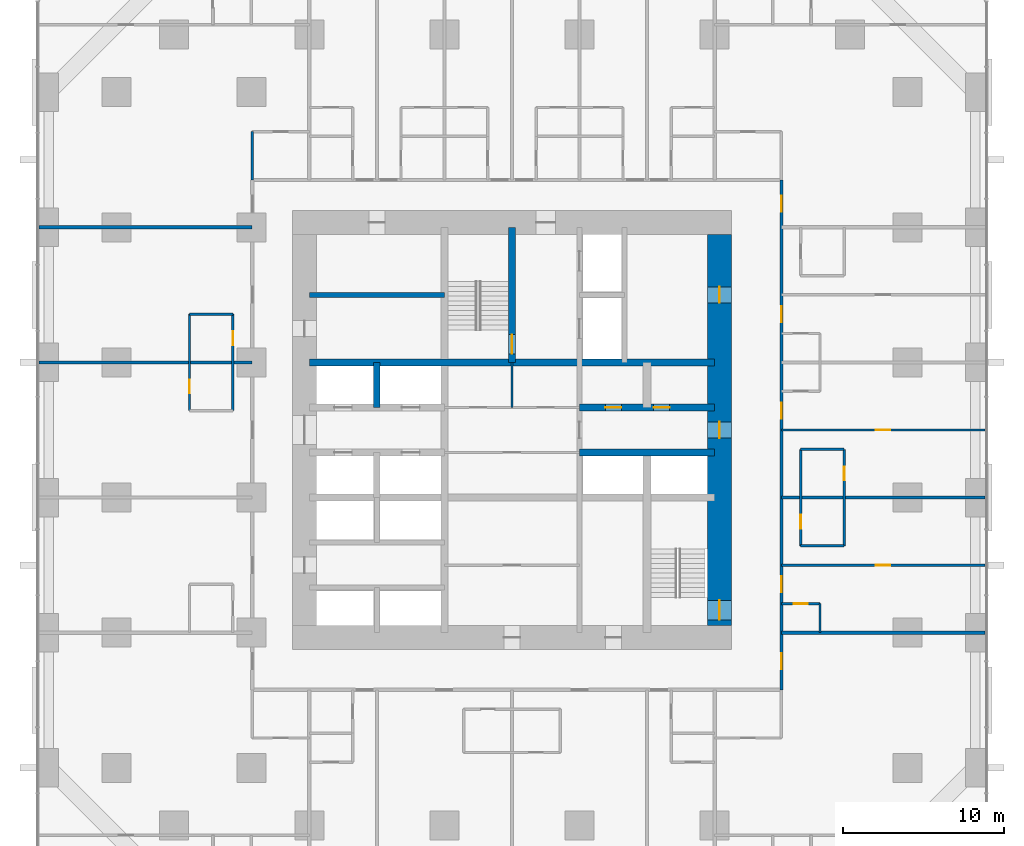
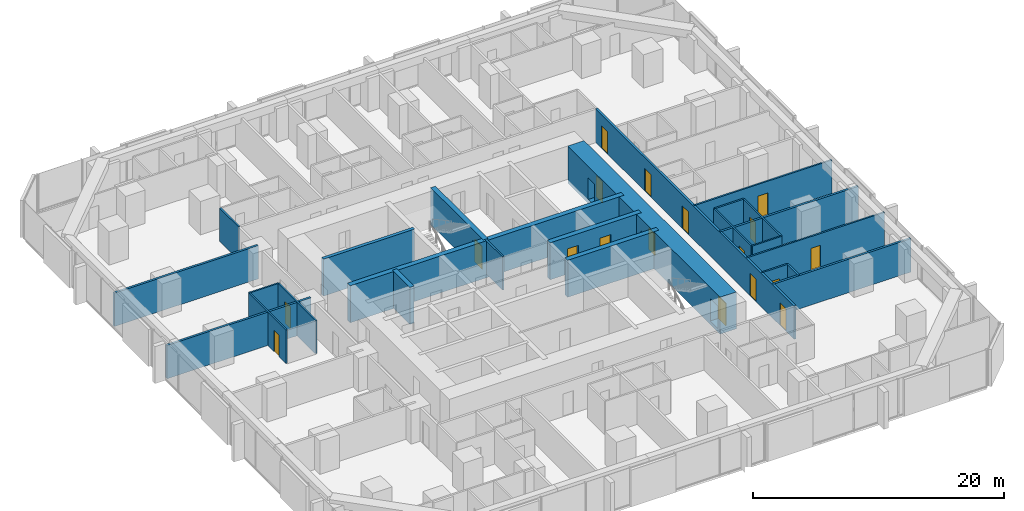
# One storey, part 13 of 17: 25 walls, 18 doors, 18 openings.
"""IFC4 building model written with IfcOpenShell, lengths in metres."""

import ifcopenshell
import ifcopenshell.guid

model = None  # the IFC model being written
_history = None  # IfcOwnerHistory: only IFC2X3 demands one
_inside = {}  # id of a spatial element -> (the spatial element, [elements in it])
_under = {}  # id of a project, library or spatial element -> (it, [spatial elements below it])
_declared = {}  # id of a project -> (the project, [libraries it declares])
_typed = {}  # id of a type object -> (the type object, [elements of that type])
_made_of = {}  # id of a material, layer set ... -> (it, [elements and type objects made of it])


def new_model(schema):
    """Start an empty IFC model of exactly this schema.

    Asked for "IFC4X3", IfcOpenShell would pick the latest addendum, in which some entities
    have other attributes; the version numbers below select the first issue.
    IFC2X3 requires an IfcOwnerHistory on every rooted entity: one is made here for all.
    """
    global model, _history
    if schema == "IFC4X3":
        model = ifcopenshell.file(schema_version=(4, 3, 0, 0))
    else:
        model = ifcopenshell.file(schema=schema)
    _inside.clear()
    _under.clear()
    _declared.clear()
    _typed.clear()
    _made_of.clear()
    _history = None
    if model.schema == "IFC2X3":
        org = make("IfcOrganization", Name="unknown")
        user = make(
            "IfcPersonAndOrganization",
            ThePerson=make("IfcPerson", FamilyName="unknown"),
            TheOrganization=org,
        )
        app = make(
            "IfcApplication",
            ApplicationDeveloper=org,
            Version="unknown",
            ApplicationFullName="unknown",
            ApplicationIdentifier="unknown",
        )
        _history = make(
            "IfcOwnerHistory",
            OwningUser=user,
            OwningApplication=app,
            ChangeAction="ADDED",
            CreationDate=0,
        )
    return model


def make(cls, **values):
    """One entity of the class cls with the attributes given. An attribute that is None is left unset."""
    return model.create_entity(
        cls, **{name: value for name, value in values.items() if value is not None}
    )


def rooted(cls, **values):
    """An entity with a GlobalId (a new one), such as an element, a storey or a relation."""
    return make(cls, GlobalId=ifcopenshell.guid.new(), OwnerHistory=_history, **values)


def si_unit(unit_type, name, prefix=None):
    """IfcSIUnit, for example si_unit("LENGTHUNIT", "METRE", prefix="MILLI")."""
    return make("IfcSIUnit", UnitType=unit_type, Prefix=prefix, Name=name)


def assignment(units):
    """IfcUnitAssignment: the units of a project."""
    return None if units is None else make("IfcUnitAssignment", Units=units)


def point(xyz):
    """IfcCartesianPoint."""
    return None if xyz is None else make("IfcCartesianPoint", Coordinates=xyz)


def direction(xyz):
    """IfcDirection."""
    return None if xyz is None else make("IfcDirection", DirectionRatios=xyz)


def frame(location, z_axis=None, x_axis=None):
    """IfcAxis2Placement3D, a coordinate frame: its origin and axes. An axis left out is left unset."""
    return make(
        "IfcAxis2Placement3D",
        Location=point(location),
        Axis=direction(z_axis),
        RefDirection=direction(x_axis),
    )


def frame_2d(location, x_axis=None):
    """IfcAxis2Placement2D, a coordinate frame in the plane: its origin and x axis."""
    return make(
        "IfcAxis2Placement2D", Location=point(location), RefDirection=direction(x_axis)
    )


def origin():
    """The frame at (0, 0, 0) with its axes left unset."""
    return frame((0.0, 0.0, 0.0))


def place(relative_to, where):
    """IfcLocalPlacement: puts the frame where relative to a parent placement (None: the world)."""
    return make(
        "IfcLocalPlacement", PlacementRelTo=relative_to, RelativePlacement=where
    )


def context(
    kind, dimensions, precision=None, world=None, true_north=None, identifier=None
):
    """IfcGeometricRepresentationContext, for example the 3D "Model" context."""
    return make(
        "IfcGeometricRepresentationContext",
        ContextIdentifier=identifier,
        ContextType=kind,
        CoordinateSpaceDimension=dimensions,
        Precision=precision,
        WorldCoordinateSystem=world,
        TrueNorth=true_north,
    )


def subcontext(parent, identifier, kind, view, scale=None):
    """IfcGeometricRepresentationSubContext, for example "Body" below "Model"."""
    return make(
        "IfcGeometricRepresentationSubContext",
        ContextIdentifier=identifier,
        ContextType=kind,
        ParentContext=parent,
        TargetScale=scale,
        TargetView=view,
    )


def project(units=None, contexts=None):
    """IfcProject with its units and contexts."""
    return rooted(
        "IfcProject",
        Name="project",
        RepresentationContexts=contexts,
        UnitsInContext=assignment(units),
    )


def spatial(cls, under=None, at=None, **own):
    """A site, building, storey or space (cls), placed at a placement, below another one or the project."""
    s = rooted(cls, ObjectPlacement=at, **own)
    if under is not None:
        _under.setdefault(under.id(), (under, []))[1].append(s)
    return s


def profile(cls, at=None, kind="AREA", **sizes):
    """A parametric profile (cls). Its sizes go by their IFC names, for example OverallWidth=200.0."""
    return make(cls, ProfileType=kind, Position=at, **sizes)


def rectangle(**sizes):
    """IfcRectangleProfileDef."""
    return profile("IfcRectangleProfileDef", **sizes)


def extrude(swept, where, along, depth):
    """IfcExtrudedAreaSolid: the profile swept, set in the frame where, extruded along a direction by depth."""
    return make(
        "IfcExtrudedAreaSolid",
        SweptArea=swept,
        Position=where,
        ExtrudedDirection=direction(along),
        Depth=depth,
    )


def shape(context_of_items, identifier, shape_type, items):
    """IfcShapeRepresentation: the items that make up one representation, for example the "Body"."""
    return make(
        "IfcShapeRepresentation",
        ContextOfItems=context_of_items,
        RepresentationIdentifier=identifier,
        RepresentationType=shape_type,
        Items=items,
    )


def material(Name=None, Category=None):
    """IfcMaterial."""
    return make("IfcMaterial", Name=Name, Category=Category)


def layer(
    of_material, thickness, ventilated=None, Name=None, Category=None, Priority=None
):
    """IfcMaterialLayer: one layer of a wall or slab, of a material (None: an air gap)."""
    return make(
        "IfcMaterialLayer",
        Material=of_material,
        LayerThickness=thickness,
        IsVentilated=ventilated,
        Name=Name,
        Category=Category,
        Priority=Priority,
    )


def layer_set(layers, Name=None):
    """IfcMaterialLayerSet."""
    return make("IfcMaterialLayerSet", MaterialLayers=layers, LayerSetName=Name)


def made_of(thing, what):
    """Note that an element or type object is made of a material, layer set ...; save() writes the relation."""
    if what is not None:
        _made_of.setdefault(what.id(), (what, []))[1].append(thing)
    return thing


def type_object(cls, material=None, **own):
    """A type object (cls), such as IfcWallType, which elements share."""
    return made_of(rooted(cls, **own), material)


def element(
    cls,
    number,
    at=None,
    inside=None,
    cuts=None,
    type_object=None,
    material=None,
    context=None,
    identifier="Body",
    shape_type=None,
    held_by="IfcProductDefinitionShape",
    body=None,
    shapes=None,
    **own,
):
    """One element of the class cls, such as IfcWall. Its Tag is "e" and its number.

    at: its placement. inside: the storey or other place that contains it. cuts: it is an
    opening in that element (IfcRelVoidsElement). A single representation is given by context,
    identifier, shape_type and body (its items); several are given by shapes. held_by: the class
    of the entity that holds the representations. save() writes the other relations.
    """
    e = rooted(cls, Tag="e%d" % number, ObjectPlacement=at, **own)
    if body is not None:
        shapes = [shape(context, identifier, shape_type, body)]
    if shapes is not None:
        e.Representation = make(held_by, Representations=shapes)
    if inside is not None:
        _inside.setdefault(inside.id(), (inside, []))[1].append(e)
    if cuts is not None:
        rooted(
            "IfcRelVoidsElement", RelatingBuildingElement=cuts, RelatedOpeningElement=e
        )
    if type_object is not None:
        _typed.setdefault(type_object.id(), (type_object, []))[1].append(e)
    return made_of(e, material)


def fill(opening, filler):
    """IfcRelFillsElement: the door or window that sits in an opening."""
    return rooted(
        "IfcRelFillsElement",
        RelatingOpeningElement=opening,
        RelatedBuildingElement=filler,
    )


def aggregate(whole, parts):
    """IfcRelAggregates: a whole, such as a stair, and the parts it consists of."""
    return rooted("IfcRelAggregates", RelatingObject=whole, RelatedObjects=parts)


def save(model, path):
    """Write the relations noted so far, then the file.

    IfcRelAggregates (storeys below a building ...), IfcRelContainedInSpatialStructure (elements
    in a storey), IfcRelDefinesByType, IfcRelAssociatesMaterial and IfcRelDeclares: one each for
    every whole, place, type object, material and project.
    """
    for whole, parts in _under.values():
        aggregate(whole, parts)
    for where, things in _inside.values():
        rooted(
            "IfcRelContainedInSpatialStructure",
            RelatedElements=things,
            RelatingStructure=where,
        )
    for kind, things in _typed.values():
        rooted("IfcRelDefinesByType", RelatedObjects=things, RelatingType=kind)
    for what, things in _made_of.values():
        rooted("IfcRelAssociatesMaterial", RelatedObjects=things, RelatingMaterial=what)
    for by, libraries in _declared.values():
        rooted("IfcRelDeclares", RelatingContext=by, RelatedDefinitions=libraries)
    model.write(path)


model = new_model("IFC4")

# Units and contexts
model_context = context("Model", 3, precision=1e-05, world=origin(), true_north=direction((0.0, 1.0)))
body_context = subcontext(model_context, "Body", "Model", "MODEL_VIEW")
ifc_project = project(units=[si_unit("LENGTHUNIT", "METRE"), si_unit("AREAUNIT", "SQUARE_METRE"), si_unit("VOLUMEUNIT", "CUBIC_METRE"), si_unit("PLANEANGLEUNIT", "RADIAN"), si_unit("MASSUNIT", "GRAM", prefix="KILO")], contexts=[model_context])

# Site, building, storey
site_placement = place(None, origin())
site = spatial("IfcSite", under=ifc_project, at=site_placement, CompositionType="ELEMENT")
building_placement = place(site_placement, origin())
building = spatial("IfcBuilding", under=site, at=building_placement, Name="Dunama Terrace Hotel", CompositionType="ELEMENT")
storey_placement = place(building_placement, frame((0.0, 0.0, 63.0)))
storey = spatial("IfcBuildingStorey", under=building, at=storey_placement, Name="L15", CompositionType="ELEMENT", Elevation=63.0)

# Wall, opening, door
ifc_material_1 = material(Name="Gypsum board partition", Category="masonry")
ifc_layer_1 = layer(ifc_material_1, 0.14990234375)
ifc_layer_set_1 = layer_set([ifc_layer_1], Name="Bathroom partition 150")
wall_type_1 = type_object("IfcWallType", Name="Bathroom partition 150", PredefinedType="PARTITIONING", material=ifc_layer_set_1)
wall_1_placement = place(storey_placement, frame((9.35009765625, 30.60009765625, 0.0), z_axis=(0.0, 0.0, 1.0), x_axis=(0.0, 1.0, 0.0)))
wall_1 = element("IfcWall", 1, at=wall_1_placement, inside=storey, type_object=wall_type_1, Name="Bathroom partition 150 L15", PredefinedType="PARTITIONING", context=body_context, shape_type="SweptSolid", body=[
    extrude(rectangle(XDim=6.0, YDim=0.14990234375, at=frame_2d((3.0, 0.0))), origin(), (0.0, 0.0, 1.0), 3.25),
])
opening_1_placement = place(wall_1_placement, frame((1.074951171875, 0.0, 0.0)))
opening_1 = element("IfcOpeningElement", 2, at=opening_1_placement, cuts=wall_1, Name="Opening L15-16-052", PredefinedType="OPENING", context=body_context, shape_type="SweptSolid", body=[
    extrude(rectangle(XDim=0.85009765625, YDim=2.10009765625, at=frame_2d((0.425048828125, 1.050048828125))), frame((0.0, 0.0849609375, 0.0), z_axis=(0.0, -1.0, 0.0), x_axis=(1.0, 0.0, 0.0)), (0.0, 0.0, 1.0), 0.169921875),
])
ifc_material_2 = material(Name="Timber door with steel frame", Category="steel")
door_type_1 = type_object("IfcDoorType", Name="Bathroom door 850", OperationType="SINGLE_SWING_LEFT", PredefinedType="DOOR", material=ifc_material_2)
door_1_placement = place(opening_1_placement, frame((0.85009765625, 0.0, 0.0), z_axis=(0.0, 0.0, 1.0), x_axis=(-1.0, 0.0, 0.0)))
door_1 = element("IfcDoor", 3, at=door_1_placement, inside=storey, type_object=door_type_1, Name="Door to en-suite bathroom L15-16-052, type D2", OperationType="SINGLE_SWING_LEFT", OverallHeight=2.10009765625, OverallWidth=0.85009765625, PredefinedType="DOOR", context=body_context, shape_type="SweptSolid", body=[
    extrude(rectangle(XDim=0.85009765625, YDim=2.10009765625, at=frame_2d((0.425048828125, 1.050048828125))), frame((0.0, 0.025146484375, 0.0), z_axis=(0.0, -1.0, 0.0), x_axis=(1.0, 0.0, 0.0)), (0.0, 0.0, 1.0), 0.050048828125),
])
fill(opening_1, door_1)

wall_2_placement = place(storey_placement, frame((12.050048828125, 30.60009765625, 0.0), z_axis=(0.0, 0.0, 1.0), x_axis=(0.0, 1.0, 0.0)))
wall_2 = element("IfcWall", 4, at=wall_2_placement, inside=storey, type_object=wall_type_1, Name="Bathroom partition 150 L15", PredefinedType="PARTITIONING", context=body_context, shape_type="SweptSolid", body=[
    extrude(rectangle(XDim=6.0, YDim=0.14990234375, at=frame_2d((3.0, 0.0))), origin(), (0.0, 0.0, 1.0), 3.25),
])
opening_2_placement = place(wall_2_placement, frame((4.074951171875, 0.0, 0.0)))
opening_2 = element("IfcOpeningElement", 5, at=opening_2_placement, cuts=wall_2, Name="Opening L15-16-054", PredefinedType="OPENING", context=body_context, shape_type="SweptSolid", body=[
    extrude(rectangle(XDim=0.85009765625, YDim=2.10009765625, at=frame_2d((0.425048828125, 1.050048828125))), frame((0.0, 0.0849609375, 0.0), z_axis=(0.0, -1.0, 0.0), x_axis=(1.0, 0.0, 0.0)), (0.0, 0.0, 1.0), 0.169921875),
])
door_2_placement = place(opening_2_placement, origin())
door_2 = element("IfcDoor", 6, at=door_2_placement, inside=storey, type_object=door_type_1, Name="Door to en-suite bathroom L15-16-054, type D2", OperationType="SINGLE_SWING_LEFT", OverallHeight=2.10009765625, OverallWidth=0.85009765625, PredefinedType="DOOR", context=body_context, shape_type="SweptSolid", body=[
    extrude(rectangle(XDim=0.85009765625, YDim=2.10009765625, at=frame_2d((0.425048828125, 1.050048828125))), frame((0.0, 0.02490234375, 0.0), z_axis=(0.0, -1.0, 0.0), x_axis=(1.0, 0.0, 0.0)), (0.0, 0.0, 1.0), 0.050048828125),
])
fill(opening_2, door_2)

# Wall
wall_3_placement = place(storey_placement, frame((13.25, 44.949951171875, 0.0), z_axis=(0.0, 0.0, 1.0), x_axis=(0.0, 1.0, 0.0)))
element("IfcWall", 7, at=wall_3_placement, inside=storey, type_object=wall_type_1, Name="Bathroom partition 150 L15", PredefinedType="PARTITIONING", context=body_context, shape_type="SweptSolid", body=[
    extrude(rectangle(XDim=3.0, YDim=0.14990234375, at=frame_2d((1.5, 0.0))), origin(), (0.0, 0.0, 1.0), 3.25),
])

# Wall, opening, door
wall_4_placement = place(storey_placement, frame((47.35009765625, 22.199951171875, 0.0), z_axis=(0.0, 0.0, 1.0), x_axis=(0.0, 1.0, 0.0)))
wall_4 = element("IfcWall", 8, at=wall_4_placement, inside=storey, type_object=wall_type_1, Name="Bathroom partition 150 L15", PredefinedType="PARTITIONING", context=body_context, shape_type="SweptSolid", body=[
    extrude(rectangle(XDim=6.0, YDim=0.14990234375, at=frame_2d((3.0, 0.0))), origin(), (0.0, 0.0, 1.0), 3.25),
])
opening_3_placement = place(wall_4_placement, frame((1.074951171875, 0.0, 0.0)))
opening_3 = element("IfcOpeningElement", 9, at=opening_3_placement, cuts=wall_4, Name="Opening L15-16-022", PredefinedType="OPENING", context=body_context, shape_type="SweptSolid", body=[
    extrude(rectangle(XDim=0.85009765625, YDim=2.10009765625, at=frame_2d((0.425048828125, 1.050048828125))), frame((0.0, 0.0849609375, 0.0), z_axis=(0.0, -1.0, 0.0), x_axis=(1.0, 0.0, 0.0)), (0.0, 0.0, 1.0), 0.169921875),
])
door_3_placement = place(opening_3_placement, frame((0.85009765625, 0.0, 0.0), z_axis=(0.0, 0.0, 1.0), x_axis=(-1.0, 0.0, 0.0)))
door_3 = element("IfcDoor", 10, at=door_3_placement, inside=storey, type_object=door_type_1, Name="Door to en-suite bathroom L15-16-022, type D2", OperationType="SINGLE_SWING_LEFT", OverallHeight=2.10009765625, OverallWidth=0.85009765625, PredefinedType="DOOR", context=body_context, shape_type="SweptSolid", body=[
    extrude(rectangle(XDim=0.85009765625, YDim=2.10009765625, at=frame_2d((0.425048828125, 1.050048828125))), frame((0.0, 0.025146484375, 0.0), z_axis=(0.0, -1.0, 0.0), x_axis=(1.0, 0.0, 0.0)), (0.0, 0.0, 1.0), 0.050048828125),
])
fill(opening_3, door_3)

# Wall
wall_5_placement = place(storey_placement, frame((48.550048828125, 16.800048828125, 0.0), z_axis=(0.0, 0.0, 1.0), x_axis=(0.0, 1.0, 0.0)))
element("IfcWall", 11, at=wall_5_placement, inside=storey, type_object=wall_type_1, Name="Bathroom partition 150 L15", PredefinedType="PARTITIONING", context=body_context, shape_type="SweptSolid", body=[
    extrude(rectangle(XDim=1.800048828125, YDim=0.14990234375, at=frame_2d((0.89990234375, 0.0))), origin(), (0.0, 0.0, 1.0), 3.25),
])

# Wall, opening, door
wall_6_placement = place(storey_placement, frame((50.050048828125, 22.199951171875, 0.0), z_axis=(0.0, 0.0, 1.0), x_axis=(0.0, 1.0, 0.0)))
wall_6 = element("IfcWall", 12, at=wall_6_placement, inside=storey, type_object=wall_type_1, Name="Bathroom partition 150 L15", PredefinedType="PARTITIONING", context=body_context, shape_type="SweptSolid", body=[
    extrude(rectangle(XDim=6.0, YDim=0.14990234375, at=frame_2d((3.0, 0.0))), origin(), (0.0, 0.0, 1.0), 3.25),
])
opening_4_placement = place(wall_6_placement, frame((4.074951171875, 0.0, 0.0)))
opening_4 = element("IfcOpeningElement", 13, at=opening_4_placement, cuts=wall_6, Name="Opening L15-16-026", PredefinedType="OPENING", context=body_context, shape_type="SweptSolid", body=[
    extrude(rectangle(XDim=0.85009765625, YDim=2.10009765625, at=frame_2d((0.425048828125, 1.050048828125))), frame((0.0, 0.0849609375, 0.0), z_axis=(0.0, -1.0, 0.0), x_axis=(1.0, 0.0, 0.0)), (0.0, 0.0, 1.0), 0.169921875),
])
door_4_placement = place(opening_4_placement, origin())
door_4 = element("IfcDoor", 14, at=door_4_placement, inside=storey, type_object=door_type_1, Name="Door to en-suite bathroom L15-16-026, type D2", OperationType="SINGLE_SWING_LEFT", OverallHeight=2.10009765625, OverallWidth=0.85009765625, PredefinedType="DOOR", context=body_context, shape_type="SweptSolid", body=[
    extrude(rectangle(XDim=0.85009765625, YDim=2.10009765625, at=frame_2d((0.425048828125, 1.050048828125))), frame((0.0, 0.02490234375, 0.0), z_axis=(0.0, -1.0, 0.0), x_axis=(1.0, 0.0, 0.0)), (0.0, 0.0, 1.0), 0.050048828125),
])
fill(opening_4, door_4)

wall_7_placement = place(storey_placement, frame((46.14990234375, 18.60009765625, 0.0), z_axis=(0.0, 0.0, 1.0), x_axis=(1.0, 0.0, 0.0)))
wall_7 = element("IfcWall", 15, at=wall_7_placement, inside=storey, type_object=wall_type_1, Name="Bathroom partition 150 L15", PredefinedType="PARTITIONING", context=body_context, shape_type="SweptSolid", body=[
    extrude(rectangle(XDim=2.400146484375, YDim=0.14990234375, at=frame_2d((1.2001953125, 0.0))), origin(), (0.0, 0.0, 1.0), 3.25),
])
opening_5_placement = place(wall_7_placement, frame((0.77490234375, 0.0, 0.0)))
opening_5 = element("IfcOpeningElement", 16, at=opening_5_placement, cuts=wall_7, Name="Opening L15-16-020", PredefinedType="OPENING", context=body_context, shape_type="SweptSolid", body=[
    extrude(rectangle(XDim=0.85009765625, YDim=2.10009765625, at=frame_2d((0.425048828125, 1.050048828125))), frame((0.0, 0.0849609375, 0.0), z_axis=(0.0, -1.0, 0.0), x_axis=(1.0, 0.0, 0.0)), (0.0, 0.0, 1.0), 0.169921875),
])
door_5_placement = place(opening_5_placement, frame((0.85009765625, 0.0, 0.0), z_axis=(0.0, 0.0, 1.0), x_axis=(-1.0, 0.0, 0.0)))
door_5 = element("IfcDoor", 17, at=door_5_placement, inside=storey, type_object=door_type_1, Name="Door to powder room L15-16-020, type D2", OperationType="SINGLE_SWING_RIGHT", OverallHeight=2.10009765625, OverallWidth=0.85009765625, PredefinedType="DOOR", context=body_context, shape_type="SweptSolid", body=[
    extrude(rectangle(XDim=0.85009765625, YDim=2.10009765625, at=frame_2d((0.425048828125, 1.050048828125))), frame((0.0, 0.025146484375, 0.0), z_axis=(0.0, -1.0, 0.0), x_axis=(1.0, 0.0, 0.0)), (0.0, 0.0, 1.0), 0.050048828125),
])
fill(opening_5, door_5)

# Walls
for number, where, z_axis, x_axis, name in (
    (18, (47.35009765625, 22.199951171875, 0.0), (0.0, 0.0, 1.0), (1.0, 0.0, 0.0), "Bathroom partition 150 L15"),
    (19, (47.35009765625, 28.199951171875, 0.0), (0.0, 0.0, 1.0), (1.0, 0.0, 0.0), "Bathroom partition 150 L15"),
    (20, (9.35009765625, 36.60009765625, 0.0), (0.0, 0.0, 1.0), (1.0, 0.0, 0.0), "Bathroom partition 150 L15"),
):
    element("IfcWall", number, at=place(storey_placement, frame(where, z_axis=z_axis, x_axis=x_axis)), inside=storey, type_object=wall_type_1, Name=name, PredefinedType="PARTITIONING", context=body_context, shape_type="SweptSolid", body=[
        extrude(rectangle(XDim=2.699951171875, YDim=0.14990234375, at=frame_2d((1.35009765625, 0.0))), origin(), (0.0, 0.0, 1.0), 3.25),
    ])
ifc_material_3 = material(Name="Concrete C50/60", Category="concrete")
ifc_layer_2 = layer(ifc_material_3, 0.300048828125)
ifc_layer_set_2 = layer_set([ifc_layer_2], Name="Core inner wall 300")
wall_type_2 = type_object("IfcWallType", Name="Core inner wall 300", PredefinedType="SHEAR", material=ifc_layer_set_2)
wall_8_placement = place(storey_placement, frame((16.800048828125, 37.800048828125, -0.35009765625), z_axis=(0.0, 0.0, 1.0), x_axis=(1.0, 0.0, 0.0)))
element("IfcWall", 21, at=wall_8_placement, inside=storey, type_object=wall_type_2, Name="Core inner wall 300 L15", PredefinedType="SHEAR", context=body_context, shape_type="SweptSolid", body=[
    extrude(rectangle(XDim=8.39990234375, YDim=0.300048828125, at=frame_2d((4.199951171875, 0.0))), origin(), (0.0, 0.0, 1.0), 3.60009765625),
])
ifc_material_4 = material(Name="Concrete C50/60", Category="concrete")
ifc_layer_3 = layer(ifc_material_4, 0.39990234375)
ifc_layer_set_3 = layer_set([ifc_layer_3], Name="Core inner wall 400")
wall_type_3 = type_object("IfcWallType", Name="Core inner wall 400", PredefinedType="SHEAR", material=ifc_layer_set_3)
wall_9_placement = place(storey_placement, frame((21.0, 30.800048828125, -0.35009765625), z_axis=(0.0, 0.0, 1.0), x_axis=(0.0, 1.0, 0.0)))
element("IfcWall", 22, at=wall_9_placement, inside=storey, type_object=wall_type_3, Name="Core inner wall 400 L15", PredefinedType="SHEAR", context=body_context, shape_type="SweptSolid", body=[
    extrude(rectangle(XDim=2.800048828125, YDim=0.39990234375, at=frame_2d((1.39990234375, 0.0))), origin(), (0.0, 0.0, 1.0), 3.60009765625),
])

# Wall, opening, door
ifc_material_5 = material(Name="Concrete C50/60", Category="concrete")
ifc_layer_4 = layer(ifc_material_5, 0.449951171875)
ifc_layer_set_4 = layer_set([ifc_layer_4], Name="Core inner wall 450")
wall_type_4 = type_object("IfcWallType", Name="Core inner wall 450", PredefinedType="SHEAR", material=ifc_layer_set_4)
wall_10_placement = place(storey_placement, frame((29.39990234375, 33.60009765625, -0.35009765625), z_axis=(0.0, 0.0, 1.0), x_axis=(0.0, 1.0, 0.0)))
wall_10 = element("IfcWall", 23, at=wall_10_placement, inside=storey, type_object=wall_type_4, Name="Core inner wall 450 L15", PredefinedType="SHEAR", context=body_context, shape_type="SweptSolid", body=[
    extrude(rectangle(XDim=8.39990234375, YDim=0.449951171875, at=frame_2d((4.199951171875, 0.0))), origin(), (0.0, 0.0, 1.0), 3.60009765625),
])
opening_6_placement = place(wall_10_placement, frame((0.52490234375, 0.0, 0.35009765625)))
opening_6 = element("IfcOpeningElement", 24, at=opening_6_placement, cuts=wall_10, Name="Opening L15-16-001", PredefinedType="OPENING", context=body_context, shape_type="SweptSolid", body=[
    extrude(rectangle(XDim=1.199951171875, YDim=2.199951171875, at=frame_2d((0.60009765625, 1.10009765625))), frame((0.0, 0.23486328125, 0.0), z_axis=(0.0, -1.0, 0.0), x_axis=(1.0, 0.0, 0.0)), (0.0, 0.0, 1.0), 0.469970703125),
])
ifc_material_6 = material(Name="Timber door with steel frame", Category="steel")
door_type_2 = type_object("IfcDoorType", Name="Stair door 1200", OperationType="SINGLE_SWING_LEFT", PredefinedType="DOOR", material=ifc_material_6)
door_6_placement = place(opening_6_placement, origin())
door_6 = element("IfcDoor", 25, at=door_6_placement, inside=storey, type_object=door_type_2, Name="Stair door ST1 L15-16-001, type D5", OperationType="SINGLE_SWING_LEFT", OverallHeight=2.199951171875, OverallWidth=1.199951171875, PredefinedType="DOOR", context=body_context, shape_type="SweptSolid", body=[
    extrude(rectangle(XDim=1.199951171875, YDim=2.199951171875, at=frame_2d((0.60009765625, 1.10009765625))), frame((0.0, 0.02490234375, 0.0), z_axis=(0.0, -1.0, 0.0), x_axis=(1.0, 0.0, 0.0)), (0.0, 0.0, 1.0), 0.050048828125),
])
fill(opening_6, door_6)

# Wall
wall_11_placement = place(storey_placement, frame((33.60009765625, 28.0, -0.35009765625), z_axis=(0.0, 0.0, 1.0), x_axis=(1.0, 0.0, 0.0)))
element("IfcWall", 26, at=wall_11_placement, inside=storey, type_object=wall_type_4, Name="Core inner wall 450 L15", PredefinedType="SHEAR", context=body_context, shape_type="SweptSolid", body=[
    extrude(rectangle(XDim=8.39990234375, YDim=0.449951171875, at=frame_2d((4.199951171875, 0.0))), origin(), (0.0, 0.0, 1.0), 3.60009765625),
])

# Wall, openings, doors
wall_12_placement = place(storey_placement, frame((33.60009765625, 30.800048828125, -0.35009765625), z_axis=(0.0, 0.0, 1.0), x_axis=(1.0, 0.0, 0.0)))
wall_12 = element("IfcWall", 27, at=wall_12_placement, inside=storey, type_object=wall_type_4, Name="Core inner wall 450 L15", PredefinedType="SHEAR", context=body_context, shape_type="SweptSolid", body=[
    extrude(rectangle(XDim=8.39990234375, YDim=0.449951171875, at=frame_2d((4.199951171875, 0.0))), origin(), (0.0, 0.0, 1.0), 3.60009765625),
])
opening_7_placement = place(wall_12_placement, frame((1.60009765625, 0.0, 0.35009765625)))
opening_7 = element("IfcOpeningElement", 28, at=opening_7_placement, cuts=wall_12, Name="Opening L15-16-083", PredefinedType="OPENING", context=body_context, shape_type="SweptSolid", body=[
    extrude(rectangle(XDim=1.0, YDim=2.10009765625, at=frame_2d((0.5, 1.050048828125))), frame((0.0, 0.23486328125, 0.0), z_axis=(0.0, -1.0, 0.0), x_axis=(1.0, 0.0, 0.0)), (0.0, 0.0, 1.0), 0.469970703125),
])
opening_8_placement = place(wall_12_placement, frame((4.60009765625, 0.0, 0.35009765625)))
opening_8 = element("IfcOpeningElement", 29, at=opening_8_placement, cuts=wall_12, Name="Opening L15-16-084", PredefinedType="OPENING", context=body_context, shape_type="SweptSolid", body=[
    extrude(rectangle(XDim=1.0, YDim=2.10009765625, at=frame_2d((0.5, 1.050048828125))), frame((0.0, 0.23486328125, 0.0), z_axis=(0.0, -1.0, 0.0), x_axis=(1.0, 0.0, 0.0)), (0.0, 0.0, 1.0), 0.469970703125),
])
ifc_material_7 = material(Name="Timber door with steel frame", Category="steel")
door_type_3 = type_object("IfcDoorType", Name="Service door 1000", OperationType="SINGLE_SWING_LEFT", PredefinedType="DOOR", material=ifc_material_7)
door_7_placement = place(opening_7_placement, origin())
door_7 = element("IfcDoor", 30, at=door_7_placement, inside=storey, type_object=door_type_3, Name="Door to service riser L15-16-083, type D7", OperationType="SINGLE_SWING_RIGHT", OverallHeight=2.10009765625, OverallWidth=1.0, PredefinedType="DOOR", context=body_context, shape_type="SweptSolid", body=[
    extrude(rectangle(XDim=1.0, YDim=2.10009765625, at=frame_2d((0.5, 1.050048828125))), frame((0.0, 0.02490234375, 0.0), z_axis=(0.0, -1.0, 0.0), x_axis=(1.0, 0.0, 0.0)), (0.0, 0.0, 1.0), 0.050048828125),
])
fill(opening_7, door_7)
door_8_placement = place(opening_8_placement, origin())
door_8 = element("IfcDoor", 31, at=door_8_placement, inside=storey, type_object=door_type_3, Name="Door to staff accessible wc L15-16-084, type D7", OperationType="SINGLE_SWING_LEFT", OverallHeight=2.10009765625, OverallWidth=1.0, PredefinedType="DOOR", context=body_context, shape_type="SweptSolid", body=[
    extrude(rectangle(XDim=1.0, YDim=2.10009765625, at=frame_2d((0.5, 1.050048828125))), frame((0.0, 0.02490234375, 0.0), z_axis=(0.0, -1.0, 0.0), x_axis=(1.0, 0.0, 0.0)), (0.0, 0.0, 1.0), 0.050048828125),
])
fill(opening_8, door_8)

# Wall
wall_13_placement = place(storey_placement, frame((16.800048828125, 33.60009765625, -0.35009765625), z_axis=(0.0, 0.0, 1.0), x_axis=(1.0, 0.0, 0.0)))
element("IfcWall", 32, at=wall_13_placement, inside=storey, type_object=wall_type_4, Name="Core inner wall 450 L15", PredefinedType="SHEAR", context=body_context, shape_type="SweptSolid", body=[
    extrude(rectangle(XDim=25.199951171875, YDim=0.449951171875, at=frame_2d((12.60009765625, 0.0))), origin(), (0.0, 0.0, 1.0), 3.60009765625),
])

# Wall, openings, doors
ifc_material_8 = material(Name="Concrete C60/75", Category="concrete")
ifc_layer_5 = layer(ifc_material_8, 1.5)
ifc_layer_set_5 = layer_set([ifc_layer_5], Name="Core wall 1500")
wall_type_5 = type_object("IfcWallType", Name="Core wall 1500", PredefinedType="SHEAR", material=ifc_layer_set_5)
wall_14_placement = place(storey_placement, frame((42.300048828125, 17.25, -0.35009765625), z_axis=(0.0, 0.0, 1.0), x_axis=(0.0, 1.0, 0.0)))
wall_14 = element("IfcWall", 33, at=wall_14_placement, inside=storey, type_object=wall_type_5, Name="Core wall east L15", PredefinedType="SHEAR", context=body_context, shape_type="SweptSolid", body=[
    extrude(rectangle(XDim=24.300048828125, YDim=1.5, at=frame_2d((12.14990234375, 0.0))), origin(), (0.0, 0.0, 1.0), 3.60009765625),
])
opening_9_placement = place(wall_14_placement, frame((0.35009765625, 0.0, 0.35009765625)))
opening_9 = element("IfcOpeningElement", 34, at=opening_9_placement, cuts=wall_14, Name="Opening L15-16-002", PredefinedType="OPENING", context=body_context, shape_type="SweptSolid", body=[
    extrude(rectangle(XDim=1.199951171875, YDim=2.199951171875, at=frame_2d((0.60009765625, 1.10009765625))), frame((0.0, 0.760009765625, 0.0), z_axis=(0.0, -1.0, 0.0), x_axis=(1.0, 0.0, 0.0)), (0.0, 0.0, 1.0), 1.52001953125),
])
opening_10_placement = place(wall_14_placement, frame((11.64990234375, 0.0, 0.35009765625)))
opening_10 = element("IfcOpeningElement", 35, at=opening_10_placement, cuts=wall_14, Name="Opening L15-16-085", PredefinedType="OPENING", context=body_context, shape_type="SweptSolid", body=[
    extrude(rectangle(XDim=1.0, YDim=2.10009765625, at=frame_2d((0.5, 1.050048828125))), frame((0.0, 0.760009765625, 0.0), z_axis=(0.0, -1.0, 0.0), x_axis=(1.0, 0.0, 0.0)), (0.0, 0.0, 1.0), 1.52001953125),
])
opening_11_placement = place(wall_14_placement, frame((20.050048828125, 0.0, 0.35009765625)))
opening_11 = element("IfcOpeningElement", 36, at=opening_11_placement, cuts=wall_14, Name="Opening L15-16-087", PredefinedType="OPENING", context=body_context, shape_type="SweptSolid", body=[
    extrude(rectangle(XDim=1.0, YDim=2.10009765625, at=frame_2d((0.5, 1.050048828125))), frame((0.0, 0.760009765625, 0.0), z_axis=(0.0, -1.0, 0.0), x_axis=(1.0, 0.0, 0.0)), (0.0, 0.0, 1.0), 1.52001953125),
])
door_9_placement = place(opening_10_placement, origin())
door_9 = element("IfcDoor", 37, at=door_9_placement, inside=storey, type_object=door_type_3, Name="Door to service lobby L15-16-085, type D7", OperationType="SINGLE_SWING_LEFT", OverallHeight=2.10009765625, OverallWidth=1.0, PredefinedType="DOOR", context=body_context, shape_type="SweptSolid", body=[
    extrude(rectangle(XDim=1.0, YDim=2.10009765625, at=frame_2d((0.5, 1.050048828125))), frame((0.0, 0.02490234375, 0.0), z_axis=(0.0, -1.0, 0.0), x_axis=(1.0, 0.0, 0.0)), (0.0, 0.0, 1.0), 0.050048828125),
])
fill(opening_10, door_9)
door_10_placement = place(opening_11_placement, origin())
door_10 = element("IfcDoor", 38, at=door_10_placement, inside=storey, type_object=door_type_3, Name="Door to ice and vending room L15-16-087, type D7", OperationType="SINGLE_SWING_RIGHT", OverallHeight=2.10009765625, OverallWidth=1.0, PredefinedType="DOOR", context=body_context, shape_type="SweptSolid", body=[
    extrude(rectangle(XDim=1.0, YDim=2.10009765625, at=frame_2d((0.5, 1.050048828125))), frame((0.0, 0.02490234375, 0.0), z_axis=(0.0, -1.0, 0.0), x_axis=(1.0, 0.0, 0.0)), (0.0, 0.0, 1.0), 0.050048828125),
])
fill(opening_11, door_10)
door_11_placement = place(opening_9_placement, origin())
door_11 = element("IfcDoor", 39, at=door_11_placement, inside=storey, type_object=door_type_2, Name="Stair door ST2 L15-16-002, type D5", OperationType="SINGLE_SWING_LEFT", OverallHeight=2.199951171875, OverallWidth=1.199951171875, PredefinedType="DOOR", context=body_context, shape_type="SweptSolid", body=[
    extrude(rectangle(XDim=1.199951171875, YDim=2.199951171875, at=frame_2d((0.60009765625, 1.10009765625))), frame((0.0, 0.02490234375, 0.0), z_axis=(0.0, -1.0, 0.0), x_axis=(1.0, 0.0, 0.0)), (0.0, 0.0, 1.0), 0.050048828125),
])
fill(opening_9, door_11)

ifc_material_9 = material(Name="Concrete blockwork", Category="masonry")
ifc_layer_6 = layer(ifc_material_9, 0.199951171875)
ifc_layer_set_6 = layer_set([ifc_layer_6], Name="Corridor partition 200")
wall_type_6 = type_object("IfcWallType", Name="Corridor partition 200", PredefinedType="PARTITIONING", material=ifc_layer_set_6)
wall_15_placement = place(storey_placement, frame((46.14990234375, 44.949951171875, 0.0), z_axis=(0.0, 0.0, 1.0), x_axis=(0.0, -1.0, 0.0)))
wall_15 = element("IfcWall", 40, at=wall_15_placement, inside=storey, type_object=wall_type_6, Name="Corridor partition 200 L15", PredefinedType="PARTITIONING", context=body_context, shape_type="SweptSolid", body=[
    extrude(rectangle(XDim=31.699951171875, YDim=0.199951171875, at=frame_2d((15.85009765625, 0.0))), origin(), (0.0, 0.0, 1.0), 3.25),
])
opening_12_placement = place(wall_15_placement, frame((24.64990234375, 0.0, 0.0)))
opening_12 = element("IfcOpeningElement", 41, at=opening_12_placement, cuts=wall_15, Name="Opening L15-16-019", PredefinedType="OPENING", context=body_context, shape_type="SweptSolid", body=[
    extrude(rectangle(XDim=1.0, YDim=2.199951171875, at=frame_2d((0.5, 1.10009765625))), frame((0.0, 0.10986328125, 0.0), z_axis=(0.0, -1.0, 0.0), x_axis=(1.0, 0.0, 0.0)), (0.0, 0.0, 1.0), 0.219970703125),
])
opening_13_placement = place(wall_15_placement, frame((13.85009765625, 0.0, 0.0)))
opening_13 = element("IfcOpeningElement", 42, at=opening_13_placement, cuts=wall_15, Name="Opening L15-16-023", PredefinedType="OPENING", context=body_context, shape_type="SweptSolid", body=[
    extrude(rectangle(XDim=1.0, YDim=2.199951171875, at=frame_2d((0.5, 1.10009765625))), frame((0.0, 0.10986328125, 0.0), z_axis=(0.0, -1.0, 0.0), x_axis=(1.0, 0.0, 0.0)), (0.0, 0.0, 1.0), 0.219970703125),
])
opening_14_placement = place(wall_15_placement, frame((7.85009765625, 0.0, 0.0)))
opening_14 = element("IfcOpeningElement", 43, at=opening_14_placement, cuts=wall_15, Name="Opening L15-16-027", PredefinedType="OPENING", context=body_context, shape_type="SweptSolid", body=[
    extrude(rectangle(XDim=1.0, YDim=2.199951171875, at=frame_2d((0.5, 1.10009765625))), frame((0.0, 0.10986328125, 0.0), z_axis=(0.0, -1.0, 0.0), x_axis=(1.0, 0.0, 0.0)), (0.0, 0.0, 1.0), 0.219970703125),
])
opening_15_placement = place(wall_15_placement, frame((29.425048828125, 0.0, 0.0)))
opening_15 = element("IfcOpeningElement", 44, at=opening_15_placement, cuts=wall_15, Name="Opening L15-16-060", PredefinedType="OPENING", context=body_context, shape_type="SweptSolid", body=[
    extrude(rectangle(XDim=1.0, YDim=2.199951171875, at=frame_2d((0.5, 1.10009765625))), frame((0.0, 0.10986328125, 0.0), z_axis=(0.0, -1.0, 0.0), x_axis=(1.0, 0.0, 0.0)), (0.0, 0.0, 1.0), 0.219970703125),
])
opening_16_placement = place(wall_15_placement, frame((0.97509765625, 0.0, 0.0)))
opening_16 = element("IfcOpeningElement", 45, at=opening_16_placement, cuts=wall_15, Name="Opening L15-16-065", PredefinedType="OPENING", context=body_context, shape_type="SweptSolid", body=[
    extrude(rectangle(XDim=1.0, YDim=2.199951171875, at=frame_2d((0.5, 1.10009765625))), frame((0.0, 0.10986328125, 0.0), z_axis=(0.0, -1.0, 0.0), x_axis=(1.0, 0.0, 0.0)), (0.0, 0.0, 1.0), 0.219970703125),
])
ifc_material_10 = material(Name="Timber door with steel frame", Category="steel")
door_type_4 = type_object("IfcDoorType", Name="Guest room door 1000", OperationType="SINGLE_SWING_LEFT", PredefinedType="DOOR", material=ifc_material_10)
door_12_placement = place(opening_12_placement, origin())
door_12 = element("IfcDoor", 46, at=door_12_placement, inside=storey, type_object=door_type_4, Name="Door to executive suite living room L15-16-019, type D1", OperationType="SINGLE_SWING_LEFT", OverallHeight=2.199951171875, OverallWidth=1.0, PredefinedType="DOOR", context=body_context, shape_type="SweptSolid", body=[
    extrude(rectangle(XDim=1.0, YDim=2.199951171875, at=frame_2d((0.5, 1.10009765625))), frame((0.0, 0.02490234375, 0.0), z_axis=(0.0, -1.0, 0.0), x_axis=(1.0, 0.0, 0.0)), (0.0, 0.0, 1.0), 0.050048828125),
])
fill(opening_12, door_12)
door_13_placement = place(opening_13_placement, origin())
door_13 = element("IfcDoor", 47, at=door_13_placement, inside=storey, type_object=door_type_4, Name="Door to executive suite living room L15-16-023, type D1", OperationType="SINGLE_SWING_LEFT", OverallHeight=2.199951171875, OverallWidth=1.0, PredefinedType="DOOR", context=body_context, shape_type="SweptSolid", body=[
    extrude(rectangle(XDim=1.0, YDim=2.199951171875, at=frame_2d((0.5, 1.10009765625))), frame((0.0, 0.02490234375, 0.0), z_axis=(0.0, -1.0, 0.0), x_axis=(1.0, 0.0, 0.0)), (0.0, 0.0, 1.0), 0.050048828125),
])
fill(opening_13, door_13)
door_14_placement = place(opening_14_placement, origin())
door_14 = element("IfcDoor", 48, at=door_14_placement, inside=storey, type_object=door_type_4, Name="Door to executive suite living room L15-16-027, type D1", OperationType="SINGLE_SWING_LEFT", OverallHeight=2.199951171875, OverallWidth=1.0, PredefinedType="DOOR", context=body_context, shape_type="SweptSolid", body=[
    extrude(rectangle(XDim=1.0, YDim=2.199951171875, at=frame_2d((0.5, 1.10009765625))), frame((0.0, 0.02490234375, 0.0), z_axis=(0.0, -1.0, 0.0), x_axis=(1.0, 0.0, 0.0)), (0.0, 0.0, 1.0), 0.050048828125),
])
fill(opening_14, door_14)
door_15_placement = place(opening_15_placement, origin())
door_15 = element("IfcDoor", 49, at=door_15_placement, inside=storey, type_object=door_type_4, Name="Door to corner suite living room L15-16-060, type D1", OperationType="SINGLE_SWING_LEFT", OverallHeight=2.199951171875, OverallWidth=1.0, PredefinedType="DOOR", context=body_context, shape_type="SweptSolid", body=[
    extrude(rectangle(XDim=1.0, YDim=2.199951171875, at=frame_2d((0.5, 1.10009765625))), frame((0.0, 0.02490234375, 0.0), z_axis=(0.0, -1.0, 0.0), x_axis=(1.0, 0.0, 0.0)), (0.0, 0.0, 1.0), 0.050048828125),
])
fill(opening_15, door_15)
door_16_placement = place(opening_16_placement, origin())
door_16 = element("IfcDoor", 50, at=door_16_placement, inside=storey, type_object=door_type_4, Name="Door to corner suite living room L15-16-065, type D1", OperationType="SINGLE_SWING_LEFT", OverallHeight=2.199951171875, OverallWidth=1.0, PredefinedType="DOOR", context=body_context, shape_type="SweptSolid", body=[
    extrude(rectangle(XDim=1.0, YDim=2.199951171875, at=frame_2d((0.5, 1.10009765625))), frame((0.0, 0.02490234375, 0.0), z_axis=(0.0, -1.0, 0.0), x_axis=(1.0, 0.0, 0.0)), (0.0, 0.0, 1.0), 0.050048828125),
])
fill(opening_16, door_16)

# Walls
ifc_material_11 = material(Name="Concrete blockwork", Category="masonry")
ifc_layer_7 = layer(ifc_material_11, 0.199951171875)
ifc_layer_set_7 = layer_set([ifc_layer_7], Name="Party wall 200")
wall_type_7 = type_object("IfcWallType", Name="Party wall 200", PredefinedType="PARTITIONING", material=ifc_layer_set_7)
for number, where, z_axis, x_axis, name in (
    (51, (46.14990234375, 16.800048828125, 0.0), (0.0, 0.0, 1.0), (1.0, 0.0, 0.0), "Party wall 200 L15"),
    (52, (46.14990234375, 25.199951171875, 0.0), (0.0, 0.0, 1.0), (1.0, 0.0, 0.0), "Party wall 200 L15"),
):
    element("IfcWall", number, at=place(storey_placement, frame(where, z_axis=z_axis, x_axis=x_axis)), inside=storey, type_object=wall_type_7, Name=name, PredefinedType="PARTITIONING", context=body_context, shape_type="SweptSolid", body=[
        extrude(rectangle(XDim=12.658203125, YDim=0.199951171875, at=frame_2d((6.3291015625, 0.0))), origin(), (0.0, 0.0, 1.0), 3.25),
    ])
for number, where, z_axis, x_axis, name in (
    (53, (-0.008056640625, 33.60009765625, 0.0), (0.0, 0.0, 1.0), (1.0, 0.0, 0.0), "Party wall 200 L15"),
    (54, (-0.008056640625, 42.0, 0.0), (0.0, 0.0, 1.0), (1.0, 0.0, 0.0), "Party wall 200 L15"),
):
    element("IfcWall", number, at=place(storey_placement, frame(where, z_axis=z_axis, x_axis=x_axis)), inside=storey, type_object=wall_type_7, Name=name, PredefinedType="PARTITIONING", context=body_context, shape_type="SweptSolid", body=[
        extrude(rectangle(XDim=13.258056640625, YDim=0.199951171875, at=frame_2d((6.62890625, 0.0))), origin(), (0.0, 0.0, 1.0), 3.25),
    ])
ifc_material_12 = material(Name="Gypsum board partition", Category="masonry")
ifc_layer_8 = layer(ifc_material_12, 0.14990234375)
ifc_layer_set_8 = layer_set([ifc_layer_8], Name="Room partition 150")
wall_type_8 = type_object("IfcWallType", Name="Room partition 150", PredefinedType="PARTITIONING", material=ifc_layer_set_8)
wall_16_placement = place(storey_placement, frame((29.39990234375, 30.800048828125, 0.0), z_axis=(0.0, 0.0, 1.0), x_axis=(0.0, 1.0, 0.0)))
element("IfcWall", 55, at=wall_16_placement, inside=storey, type_object=wall_type_8, Name="Room partition 150 L15", PredefinedType="PARTITIONING", context=body_context, shape_type="SweptSolid", body=[
    extrude(rectangle(XDim=2.800048828125, YDim=0.14990234375, at=frame_2d((1.39990234375, 0.0))), origin(), (0.0, 0.0, 1.0), 3.25),
])

# Wall, opening, door
wall_17_placement = place(storey_placement, frame((46.14990234375, 21.0, 0.0), z_axis=(0.0, 0.0, 1.0), x_axis=(1.0, 0.0, 0.0)))
wall_17 = element("IfcWall", 56, at=wall_17_placement, inside=storey, type_object=wall_type_8, Name="Room partition 150 L15", PredefinedType="PARTITIONING", context=body_context, shape_type="SweptSolid", body=[
    extrude(rectangle(XDim=12.658203125, YDim=0.14990234375, at=frame_2d((6.3291015625, 0.0))), origin(), (0.0, 0.0, 1.0), 3.25),
])
opening_17_placement = place(wall_17_placement, frame((5.875, 0.0, 0.0)))
opening_17 = element("IfcOpeningElement", 57, at=opening_17_placement, cuts=wall_17, Name="Opening L15-16-021", PredefinedType="OPENING", context=body_context, shape_type="SweptSolid", body=[
    extrude(rectangle(XDim=0.89990234375, YDim=2.10009765625, at=frame_2d((0.449951171875, 1.050048828125))), frame((0.0, 0.0849609375, 0.0), z_axis=(0.0, -1.0, 0.0), x_axis=(1.0, 0.0, 0.0)), (0.0, 0.0, 1.0), 0.169921875),
])
ifc_material_13 = material(Name="Timber door with steel frame", Category="steel")
door_type_5 = type_object("IfcDoorType", Name="Suite internal door 900", OperationType="SINGLE_SWING_LEFT", PredefinedType="DOOR", material=ifc_material_13)
door_17_placement = place(opening_17_placement, origin())
door_17 = element("IfcDoor", 58, at=door_17_placement, inside=storey, type_object=door_type_5, Name="Door to executive suite bedroom L15-16-021, type D16", OperationType="SINGLE_SWING_LEFT", OverallHeight=2.10009765625, OverallWidth=0.89990234375, PredefinedType="DOOR", context=body_context, shape_type="SweptSolid", body=[
    extrude(rectangle(XDim=0.89990234375, YDim=2.10009765625, at=frame_2d((0.449951171875, 1.050048828125))), frame((0.0, 0.02490234375, 0.0), z_axis=(0.0, -1.0, 0.0), x_axis=(1.0, 0.0, 0.0)), (0.0, 0.0, 1.0), 0.050048828125),
])
fill(opening_17, door_17)

wall_18_placement = place(storey_placement, frame((46.14990234375, 29.39990234375, 0.0), z_axis=(0.0, 0.0, 1.0), x_axis=(1.0, 0.0, 0.0)))
wall_18 = element("IfcWall", 59, at=wall_18_placement, inside=storey, type_object=wall_type_8, Name="Room partition 150 L15", PredefinedType="PARTITIONING", context=body_context, shape_type="SweptSolid", body=[
    extrude(rectangle(XDim=12.658203125, YDim=0.14990234375, at=frame_2d((6.3291015625, 0.0))), origin(), (0.0, 0.0, 1.0), 3.25),
])
opening_18_placement = place(wall_18_placement, frame((5.875, 0.0, 0.0)))
opening_18 = element("IfcOpeningElement", 60, at=opening_18_placement, cuts=wall_18, Name="Opening L15-16-025", PredefinedType="OPENING", context=body_context, shape_type="SweptSolid", body=[
    extrude(rectangle(XDim=0.89990234375, YDim=2.10009765625, at=frame_2d((0.449951171875, 1.050048828125))), frame((0.0, 0.0849609375, 0.0), z_axis=(0.0, -1.0, 0.0), x_axis=(1.0, 0.0, 0.0)), (0.0, 0.0, 1.0), 0.169921875),
])
door_18_placement = place(opening_18_placement, frame((0.89990234375, 0.0, 0.0), z_axis=(0.0, 0.0, 1.0), x_axis=(-1.0, 0.0, 0.0)))
door_18 = element("IfcDoor", 61, at=door_18_placement, inside=storey, type_object=door_type_5, Name="Door to executive suite bedroom L15-16-025, type D16", OperationType="SINGLE_SWING_RIGHT", OverallHeight=2.10009765625, OverallWidth=0.89990234375, PredefinedType="DOOR", context=body_context, shape_type="SweptSolid", body=[
    extrude(rectangle(XDim=0.89990234375, YDim=2.10009765625, at=frame_2d((0.449951171875, 1.050048828125))), frame((0.0, 0.025146484375, 0.0), z_axis=(0.0, -1.0, 0.0), x_axis=(1.0, 0.0, 0.0)), (0.0, 0.0, 1.0), 0.050048828125),
])
fill(opening_18, door_18)

save(model, "model.ifc")
